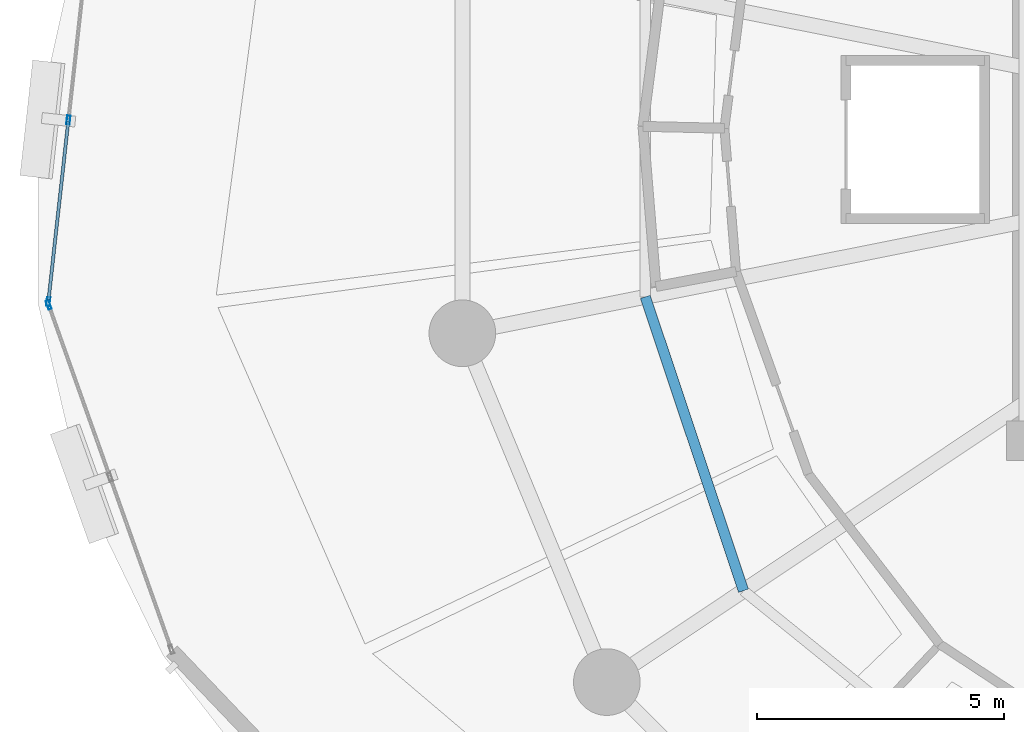
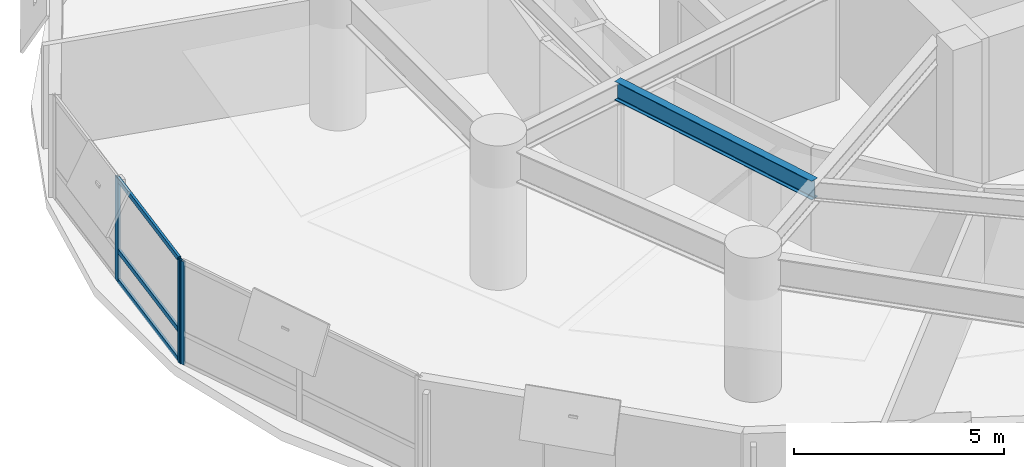
# One storey, part 4 of 17: 6 members, 1 beam, 2 elements without a shape of their own.
"""IFC4 building model written with IfcOpenShell, lengths in metres."""

from ifc_helpers import new_model, si_unit, direction, frame, origin, origin_2d, place, context, subcontext, project, spatial, hollow_rectangle, i_section, extrude, material, layer, layer_set, material_profile, profile_set, type_object, element, aggregate, save


model = new_model("IFC4")

# Units and contexts
model_context = context("Model", 3, precision=1e-05, world=origin(), true_north=direction((0.0, 1.0)))
body_context = subcontext(model_context, "Body", "Model", "MODEL_VIEW")
ifc_project = project(units=[si_unit("LENGTHUNIT", "METRE"), si_unit("AREAUNIT", "SQUARE_METRE"), si_unit("VOLUMEUNIT", "CUBIC_METRE"), si_unit("PLANEANGLEUNIT", "RADIAN"), si_unit("MASSUNIT", "GRAM", prefix="KILO"), si_unit("THERMODYNAMICTEMPERATUREUNIT", "KELVIN"), si_unit("POWERUNIT", "WATT")], contexts=[model_context])

# Site, building, storey
site_placement = place(None, origin())
site = spatial("IfcSite", under=ifc_project, at=site_placement, CompositionType="ELEMENT")
building_placement = place(site_placement, origin())
building = spatial("IfcBuilding", under=site, at=building_placement, Name="Ocrelia Relay Tower", CompositionType="ELEMENT")
storey_placement = place(building_placement, frame((0.0, 0.0, 59.39990234375)))
storey = spatial("IfcBuildingStorey", under=building, at=storey_placement, Name="L13", CompositionType="ELEMENT", Elevation=59.39990234375)

# Beam
ifc_material_1 = material(Name="Steel S355", Category="steel")
ifc_material_profile_1 = material_profile(ifc_material_1, i_section(OverallWidth=0.2099609375, OverallDepth=0.550048828125, WebThickness=0.010986328125, FlangeThickness=0.01708984375, FilletRadius=0.02392578125, at=origin_2d()), Name="IPE 550")
ifc_profile_set_1 = profile_set([ifc_material_profile_1], Name="Steel S355")
beam_type = type_object("IfcBeamType", Name="BM-IPE550", PredefinedType="JOIST", material=ifc_profile_set_1)
beam_placement = place(storey_placement, frame((18.481689453125, 22.9130859375, 3.64501953125), z_axis=(0.317067865999, -0.948402851298, 0.0), x_axis=(0.948402851298, 0.317067865999, 0.0)))
element("IfcBeam", 1, at=beam_placement, inside=storey, type_object=beam_type, Name="L13 Secondary Floor Joist J09", PredefinedType="JOIST", context=body_context, shape_type="SweptSolid", body=[
    extrude(i_section(OverallWidth=0.2099609375, OverallDepth=0.550048828125, WebThickness=0.010986328125, FlangeThickness=0.01708984375, FilletRadius=0.02392578125, at=origin_2d()), origin(), (0.0, 0.0, 1.0), 6.276123046875),
])

# Curtain wall, members
ifc_material_2 = material(Name="Aluminium and solar-control low-E glass", Category="aluminium")
ifc_layer = layer(ifc_material_2, 0.179931640625, Name="Aluminium and solar-control low-E glass")
ifc_layer_set = layer_set([ifc_layer], Name="Aluminium and solar-control low-E glass")
curtain_wall_type = type_object("IfcCurtainWallType", Name="CW-SYS-Z1-DATA", PredefinedType="NOTDEFINED", material=ifc_layer_set)
curtain_wall_1_placement = place(storey_placement, origin())
curtain_wall_1 = element("IfcCurtainWall", 2, at=curtain_wall_1_placement, inside=storey, type_object=curtain_wall_type, Name="L13 Elliptical Tower Curtain Wall Bay 09", PredefinedType="NOTDEFINED")
ifc_material_3 = material(Name="Anodised bronze aluminium", Category="aluminium")
ifc_material_profile_2 = material_profile(ifc_material_3, hollow_rectangle(XDim=0.070068359375, YDim=0.179931640625, WallThickness=0.006103515625, at=origin_2d()), Name="CW-MUL-180x70")
ifc_profile_set_2 = profile_set([ifc_material_profile_2], Name="Anodised bronze aluminium")
member_type_1 = type_object("IfcMemberType", Name="CW-SYS-Z1-DATA-MUL", PredefinedType="MULLION", material=ifc_profile_set_2)
member_1_placement = place(storey_placement, frame((6.7978515625, 26.49560546875, 0.0), z_axis=(0.0, 0.0, 1.0), x_axis=(0.993940536557, -0.109919105663, 0.0)))
member_1 = element("IfcMember", 3, at=member_1_placement, type_object=member_type_1, Name="CW-Z1 mullion 2", PredefinedType="MULLION", context=body_context, shape_type="SweptSolid", body=[
    extrude(hollow_rectangle(XDim=0.070068359375, YDim=0.179931640625, WallThickness=0.006103515625, at=origin_2d()), origin(), (0.0, 0.0, 1.0), 3.0),
])
member_2_placement = place(storey_placement, frame((6.390869140625, 22.8154296875, 0.0), z_axis=(0.0, 0.0, 1.0), x_axis=(0.993940536557, -0.109919105663, 0.0)))
member_2 = element("IfcMember", 4, at=member_2_placement, type_object=member_type_1, Name="CW-Z1 mullion 3", PredefinedType="MULLION", context=body_context, shape_type="SweptSolid", body=[
    extrude(hollow_rectangle(XDim=0.070068359375, YDim=0.179931640625, WallThickness=0.006103515625, at=origin_2d()), origin(), (0.0, 0.0, 1.0), 3.0),
])

# Curtain wall, member
curtain_wall_2_placement = place(storey_placement, origin())
curtain_wall_2 = element("IfcCurtainWall", 5, at=curtain_wall_2_placement, inside=storey, type_object=curtain_wall_type, Name="L13 Elliptical Tower Curtain Wall Bay 10", PredefinedType="NOTDEFINED")
member_3_placement = place(storey_placement, frame((6.398681640625, 22.74755859375, 0.0), z_axis=(0.0, 0.0, 1.0), x_axis=(0.941997078317, 0.335621072702, 0.0)))
member_3 = element("IfcMember", 6, at=member_3_placement, type_object=member_type_1, Name="CW-Z1 mullion 1", PredefinedType="MULLION", context=body_context, shape_type="SweptSolid", body=[
    extrude(hollow_rectangle(XDim=0.070068359375, YDim=0.179931640625, WallThickness=0.006103515625, at=origin_2d()), origin(), (0.0, 0.0, 1.0), 3.0),
])
aggregate(curtain_wall_2, [member_3])

# Member
ifc_material_profile_3 = material_profile(ifc_material_3, hollow_rectangle(XDim=0.06494140625, YDim=0.139892578125, WallThickness=0.0048828125, at=origin_2d()), Name="CW-TRN-140x65")
ifc_profile_set_3 = profile_set([ifc_material_profile_3], Name="Anodised bronze aluminium")
member_type_2 = type_object("IfcMemberType", Name="CW-SYS-Z1-DATA-TRN", PredefinedType="USERDEFINED", material=ifc_profile_set_3)
member_4_placement = place(storey_placement, frame((6.7939453125, 26.4609375, 0.03271484375), z_axis=(-0.109878306486, -0.993945047658, 0.0), x_axis=(0.993945047658, -0.109878306486, 0.0)))
member_4 = element("IfcMember", 7, at=member_4_placement, type_object=member_type_2, Name="CW-Z1 transom 2.1", ObjectType="TRANSOM", PredefinedType="USERDEFINED", context=body_context, shape_type="SweptSolid", body=[
    extrude(hollow_rectangle(XDim=0.06494140625, YDim=0.139892578125, WallThickness=0.0048828125, at=origin_2d()), origin(), (0.0, 0.0, 1.0), 3.6328125),
])

member_5_placement = place(storey_placement, frame((6.7939453125, 26.4609375, 0.900146484375), z_axis=(-0.109878306486, -0.993945047658, 0.0), x_axis=(0.993945047658, -0.109878306486, 0.0)))
member_5 = element("IfcMember", 8, at=member_5_placement, type_object=member_type_2, Name="CW-Z1 transom 2.2", ObjectType="TRANSOM", PredefinedType="USERDEFINED", context=body_context, shape_type="SweptSolid", body=[
    extrude(hollow_rectangle(XDim=0.06494140625, YDim=0.139892578125, WallThickness=0.0048828125, at=origin_2d()), origin(), (0.0, 0.0, 1.0), 3.6328125),
])

member_6_placement = place(storey_placement, frame((6.7939453125, 26.4609375, 2.967529296875), z_axis=(-0.109878306486, -0.993945047658, 0.0), x_axis=(0.993945047658, -0.109878306486, 0.0)))
member_6 = element("IfcMember", 9, at=member_6_placement, type_object=member_type_2, Name="CW-Z1 transom 2.3", ObjectType="TRANSOM", PredefinedType="USERDEFINED", context=body_context, shape_type="SweptSolid", body=[
    extrude(hollow_rectangle(XDim=0.06494140625, YDim=0.139892578125, WallThickness=0.0048828125, at=origin_2d()), origin(), (0.0, 0.0, 1.0), 3.6328125),
])

aggregate(curtain_wall_1, [member_1, member_2, member_4, member_5, member_6])

save(model, "model.ifc")
